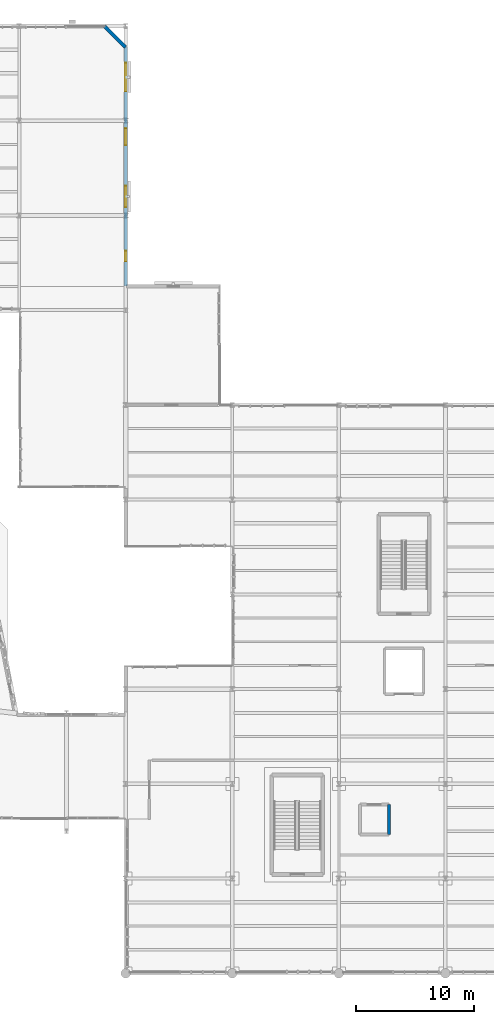
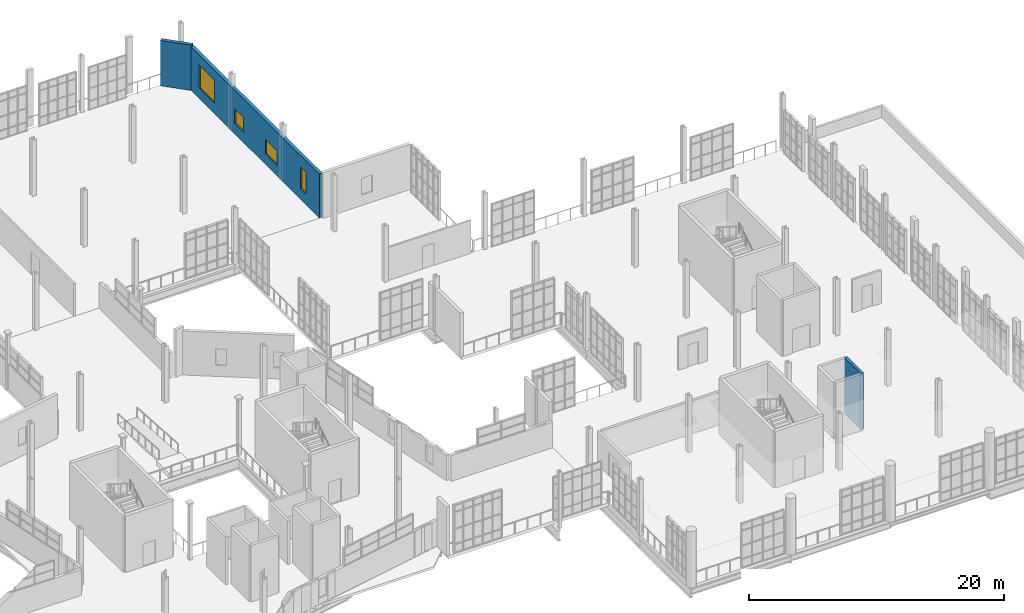
# One storey, part 126 of 142: 4 windows, 3 walls, 4 openings.
"""IFC4 building model written with IfcOpenShell, lengths in metres."""

from ifc_helpers import new_model, si_unit, direction, frame, frame_2d, origin, place, context, subcontext, project, spatial, rectangle, extrude, material, layer, layer_set, type_object, element, fill, save


model = new_model("IFC4")

# Units and contexts
model_context = context("Model", 3, precision=1e-05, world=origin(), true_north=direction((0.0, 1.0)))
body_context = subcontext(model_context, "Body", "Model", "MODEL_VIEW")
ifc_project = project(units=[si_unit("LENGTHUNIT", "METRE"), si_unit("AREAUNIT", "SQUARE_METRE"), si_unit("VOLUMEUNIT", "CUBIC_METRE"), si_unit("PLANEANGLEUNIT", "RADIAN"), si_unit("MASSUNIT", "GRAM", prefix="KILO"), si_unit("THERMODYNAMICTEMPERATUREUNIT", "KELVIN"), si_unit("POWERUNIT", "WATT")], contexts=[model_context])

# Site, building, storey
site_placement = place(None, origin())
site = spatial("IfcSite", under=ifc_project, at=site_placement, CompositionType="ELEMENT")
building_placement = place(site_placement, origin())
building = spatial("IfcBuilding", under=site, at=building_placement, Name="Zelmaris Science Centre", CompositionType="ELEMENT")
storey_placement = place(building_placement, frame((0.0, 0.0, 5.39990234375)))
storey = spatial("IfcBuildingStorey", under=building, at=storey_placement, Name="L01", CompositionType="ELEMENT", Elevation=5.39990234375)

# Walls
ifc_material_1 = material(Name="Concrete C40/50", Category="concrete")
ifc_layer_1 = layer(ifc_material_1, 0.25, Name="Concrete C40/50")
ifc_layer_set_1 = layer_set([ifc_layer_1], Name="Concrete C40/50")
wall_type_1 = type_object("IfcWallType", Name="Core Shear Wall CW-S2 250mm", PredefinedType="SOLIDWALL", material=ifc_layer_set_1)
wall_1_placement = place(storey_placement, frame((130.22509765625, 19.72509765625, 0.0), z_axis=(0.0, 0.0, 1.0), x_axis=(0.0, 1.0, 0.0)))
element("IfcWall", 1, at=wall_1_placement, inside=storey, type_object=wall_type_1, Name="L01 LP-02 lift shaft wall +x", PredefinedType="SOLIDWALL", context=body_context, shape_type="SweptSolid", body=[
    extrude(rectangle(XDim=2.5498046875, YDim=0.25, at=frame_2d((1.27490234375, 0.0))), origin(), (0.0, 0.0, 1.0), 5.400146484375),
])
ifc_material_2 = material(Name="Precast concrete C40/50", Category="concrete")
ifc_layer_2 = layer(ifc_material_2, 0.300048828125, Name="Precast concrete C40/50")
ifc_layer_set_2 = layer_set([ifc_layer_2], Name="Precast concrete C40/50")
wall_type_2 = type_object("IfcWallType", Name="Exterior Wall EW-04 300mm", PredefinedType="SOLIDWALL", material=ifc_layer_set_2)
wall_2_placement = place(storey_placement, frame((106.199951171875, 88.0, 0.0), z_axis=(0.0, 0.0, 1.0), x_axis=(0.707106781187, -0.707106781187, 0.0)))
element("IfcWall", 2, at=wall_2_placement, inside=storey, type_object=wall_type_2, Name="L01 Exterior wall 44", PredefinedType="SOLIDWALL", context=body_context, shape_type="SweptSolid", body=[
    extrude(rectangle(XDim=2.545654296875, YDim=0.300048828125, at=frame_2d((1.27294921875, 0.0))), origin(), (0.0, 0.0, 1.0), 4.343017578125),
])

# Wall, openings, windows
wall_3_placement = place(storey_placement, frame((108.0, 86.199951171875, 0.0), z_axis=(0.0, 0.0, 1.0), x_axis=(0.000133228364, -0.999999991125, 0.0)))
wall_3 = element("IfcWall", 3, at=wall_3_placement, inside=storey, type_object=wall_type_2, Name="L01 Exterior wall 45", PredefinedType="SOLIDWALL", context=body_context, shape_type="SweptSolid", body=[
    extrude(rectangle(XDim=20.157470703125, YDim=0.300048828125, at=frame_2d((10.07861328125, 0.0))), origin(), (0.0, 0.0, 1.0), 4.177978515625),
])
opening_1_placement = place(wall_3_placement, frame((1.319580078125, 0.0, 1.0)))
opening_1 = element("IfcOpeningElement", 4, at=opening_1_placement, cuts=wall_3, Name="Opening W-09", PredefinedType="OPENING", context=body_context, shape_type="SweptSolid", body=[
    extrude(rectangle(XDim=2.39990234375, YDim=2.199951171875, at=frame_2d((1.199951171875, 1.10009765625))), frame((0.0, 0.159912109375, 0.0), z_axis=(0.0, -1.0, 0.0), x_axis=(1.0, 0.0, 0.0)), (0.0, 0.0, 1.0), 0.320068359375),
])
opening_2_placement = place(wall_3_placement, frame((6.85888671875, 0.0, 1.0)))
opening_2 = element("IfcOpeningElement", 5, at=opening_2_placement, cuts=wall_3, Name="Opening W-10", PredefinedType="OPENING", context=body_context, shape_type="SweptSolid", body=[
    extrude(rectangle(XDim=1.39990234375, YDim=1.39990234375, at=frame_2d((0.699951171875, 0.699951171875))), frame((0.0, 0.159912109375, 0.0), z_axis=(0.0, -1.0, 0.0), x_axis=(1.0, 0.0, 0.0)), (0.0, 0.0, 1.0), 0.320068359375),
])
opening_3_placement = place(wall_3_placement, frame((11.698486328125, 0.0, 1.0)))
opening_3 = element("IfcOpeningElement", 6, at=opening_3_placement, cuts=wall_3, Name="Opening W-11", PredefinedType="OPENING", context=body_context, shape_type="SweptSolid", body=[
    extrude(rectangle(XDim=1.800048828125, YDim=1.39990234375, at=frame_2d((0.89990234375, 0.699951171875))), frame((0.0, 0.159912109375, 0.0), z_axis=(0.0, -1.0, 0.0), x_axis=(1.0, 0.0, 0.0)), (0.0, 0.0, 1.0), 0.320068359375),
])
opening_4_placement = place(wall_3_placement, frame((17.187744140625, 0.0, 1.0)))
opening_4 = element("IfcOpeningElement", 7, at=opening_4_placement, cuts=wall_3, Name="Opening W-12", PredefinedType="OPENING", context=body_context, shape_type="SweptSolid", body=[
    extrude(rectangle(XDim=0.89990234375, YDim=2.10009765625, at=frame_2d((0.449951171875, 1.050048828125))), frame((0.0, 0.159912109375, 0.0), z_axis=(0.0, -1.0, 0.0), x_axis=(1.0, 0.0, 0.0)), (0.0, 0.0, 1.0), 0.320068359375),
])
ifc_material_3 = material(Name="Laminated hurricane-rated low-E insulated glazing", Category="glass")
window_type_1 = type_object("IfcWindowType", Name="Window W-09 2400x2200", PartitioningType="SINGLE_PANEL", PredefinedType="WINDOW", material=ifc_material_3)
window_1_placement = place(opening_1_placement, origin())
window_1 = element("IfcWindow", 8, at=window_1_placement, inside=storey, type_object=window_type_1, Name="L01 Facade window 9", OverallHeight=2.199951171875, OverallWidth=2.39990234375, PartitioningType="SINGLE_PANEL", PredefinedType="WINDOW", context=body_context, shape_type="SweptSolid", body=[
    extrude(rectangle(XDim=2.39990234375, YDim=2.199951171875, at=frame_2d((1.199951171875, 1.10009765625))), frame((0.0, 0.030029296875, 0.0), z_axis=(0.0, -1.0, 0.0), x_axis=(1.0, 0.0, 0.0)), (0.0, 0.0, 1.0), 0.06005859375),
])
fill(opening_1, window_1)
window_type_2 = type_object("IfcWindowType", Name="Window W-10 1400x1400", PartitioningType="SINGLE_PANEL", PredefinedType="WINDOW", material=ifc_material_3)
window_2_placement = place(opening_2_placement, origin())
window_2 = element("IfcWindow", 9, at=window_2_placement, inside=storey, type_object=window_type_2, Name="L01 Facade window 10", OverallHeight=1.39990234375, OverallWidth=1.39990234375, PartitioningType="SINGLE_PANEL", PredefinedType="WINDOW", context=body_context, shape_type="SweptSolid", body=[
    extrude(rectangle(XDim=1.39990234375, YDim=1.39990234375, at=frame_2d((0.699951171875, 0.699951171875))), frame((0.0, 0.030029296875, 0.0), z_axis=(0.0, -1.0, 0.0), x_axis=(1.0, 0.0, 0.0)), (0.0, 0.0, 1.0), 0.06005859375),
])
fill(opening_2, window_2)
window_type_3 = type_object("IfcWindowType", Name="Window W-11 1800x1400", PartitioningType="SINGLE_PANEL", PredefinedType="WINDOW", material=ifc_material_3)
window_3_placement = place(opening_3_placement, origin())
window_3 = element("IfcWindow", 10, at=window_3_placement, inside=storey, type_object=window_type_3, Name="L01 Facade window 11", OverallHeight=1.39990234375, OverallWidth=1.800048828125, PartitioningType="SINGLE_PANEL", PredefinedType="WINDOW", context=body_context, shape_type="SweptSolid", body=[
    extrude(rectangle(XDim=1.800048828125, YDim=1.39990234375, at=frame_2d((0.89990234375, 0.699951171875))), frame((0.0, 0.030029296875, 0.0), z_axis=(0.0, -1.0, 0.0), x_axis=(1.0, 0.0, 0.0)), (0.0, 0.0, 1.0), 0.06005859375),
])
fill(opening_3, window_3)
window_type_4 = type_object("IfcWindowType", Name="Window W-12 900x2100", PartitioningType="SINGLE_PANEL", PredefinedType="WINDOW", material=ifc_material_3)
window_4_placement = place(opening_4_placement, origin())
window_4 = element("IfcWindow", 11, at=window_4_placement, inside=storey, type_object=window_type_4, Name="L01 Facade window 12", OverallHeight=2.10009765625, OverallWidth=0.89990234375, PartitioningType="SINGLE_PANEL", PredefinedType="WINDOW", context=body_context, shape_type="SweptSolid", body=[
    extrude(rectangle(XDim=0.89990234375, YDim=2.10009765625, at=frame_2d((0.449951171875, 1.050048828125))), frame((0.0, 0.030029296875, 0.0), z_axis=(0.0, -1.0, 0.0), x_axis=(1.0, 0.0, 0.0)), (0.0, 0.0, 1.0), 0.06005859375),
])
fill(opening_4, window_4)

save(model, "model.ifc")
